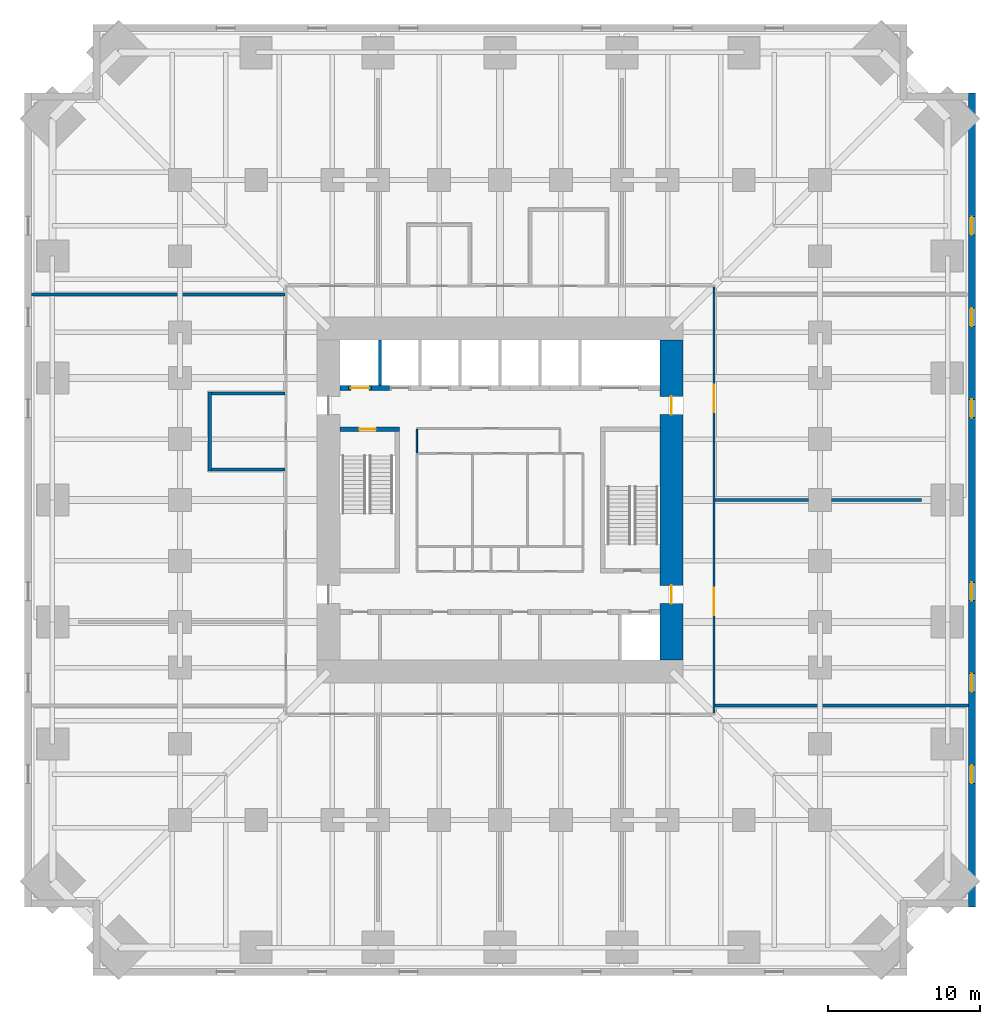
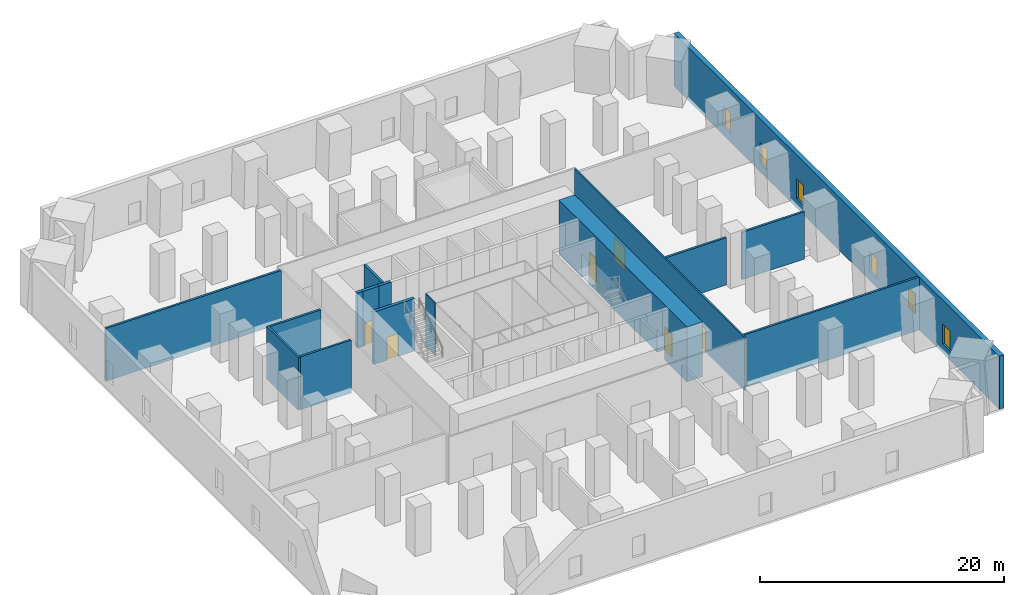
# One storey, part 5 of 8: 16 walls, 6 doors, 6 windows, 12 openings.
"""IFC4 building model written with IfcOpenShell, lengths in metres."""

from ifc_helpers import new_model, si_unit, direction, frame, frame_2d, origin, place, context, subcontext, project, spatial, rectangle, extrude, material, layer, layer_set, type_object, element, fill, save


model = new_model("IFC4")

# Units and contexts
model_context = context("Model", 3, precision=1e-05, world=origin(), true_north=direction((0.0, 1.0)))
body_context = subcontext(model_context, "Body", "Model", "MODEL_VIEW")
ifc_project = project(units=[si_unit("LENGTHUNIT", "METRE"), si_unit("AREAUNIT", "SQUARE_METRE"), si_unit("VOLUMEUNIT", "CUBIC_METRE"), si_unit("PLANEANGLEUNIT", "RADIAN"), si_unit("MASSUNIT", "GRAM", prefix="KILO")], contexts=[model_context])

# Site, building, storey
site_placement = place(None, origin())
site = spatial("IfcSite", under=ifc_project, at=site_placement, CompositionType="ELEMENT")
building_placement = place(site_placement, origin())
building = spatial("IfcBuilding", under=site, at=building_placement, Name="Peilmerk Tower", CompositionType="ELEMENT")
storey_placement = place(building_placement, frame((0.0, 0.0, 37.5)))
storey = spatial("IfcBuildingStorey", under=building, at=storey_placement, Name="L07", CompositionType="ELEMENT", Elevation=37.5)

# Wall, openings, windows
ifc_material_1 = material(Name="Precast concrete C45/55, board-marked finish", Category="concrete")
ifc_layer_1 = layer(ifc_material_1, 0.449951171875)
ifc_layer_set_1 = layer_set([ifc_layer_1], Name="Precast concrete C45/55, board-marked finish")
wall_type_1 = type_object("IfcWallType", Name="EW1 450 precast concrete facade wall, board-marked", PredefinedType="SOLIDWALL", material=ifc_layer_set_1)
wall_1_placement = place(storey_placement, frame((30.97509765625, -26.699951171875, 0.0), z_axis=(0.0, 0.0, 1.0), x_axis=(0.0, 1.0, 0.0)))
wall_1 = element("IfcWall", 1, at=wall_1_placement, inside=storey, type_object=wall_type_1, Name="Facade wall E L07", PredefinedType="SOLIDWALL", context=body_context, shape_type="SweptSolid", body=[
    extrude(rectangle(XDim=53.39990234375, YDim=0.449951171875, at=frame_2d((26.699951171875, 0.0))), origin(), (0.0, 0.0, 1.0), 5.300048828125),
])
opening_1_placement = place(wall_1_placement, frame((8.10009765625, 0.0, 0.89990234375)))
opening_1 = element("IfcOpeningElement", 2, at=opening_1_placement, cuts=wall_1, Name="Opening W2", PredefinedType="OPENING", context=body_context, shape_type="SweptSolid", body=[
    extrude(rectangle(XDim=1.199951171875, YDim=2.0, at=frame_2d((0.60009765625, 1.0))), frame((0.0, 0.23486328125, 0.0), z_axis=(0.0, -1.0, 0.0), x_axis=(1.0, 0.0, 0.0)), (0.0, 0.0, 1.0), 0.469970703125),
])
opening_2_placement = place(wall_1_placement, frame((14.10009765625, 0.0, 0.89990234375)))
opening_2 = element("IfcOpeningElement", 3, at=opening_2_placement, cuts=wall_1, Name="Opening W2", PredefinedType="OPENING", context=body_context, shape_type="SweptSolid", body=[
    extrude(rectangle(XDim=1.199951171875, YDim=2.0, at=frame_2d((0.60009765625, 1.0))), frame((0.0, 0.23486328125, 0.0), z_axis=(0.0, -1.0, 0.0), x_axis=(1.0, 0.0, 0.0)), (0.0, 0.0, 1.0), 0.469970703125),
])
opening_3_placement = place(wall_1_placement, frame((20.10009765625, 0.0, 0.89990234375)))
opening_3 = element("IfcOpeningElement", 4, at=opening_3_placement, cuts=wall_1, Name="Opening W2", PredefinedType="OPENING", context=body_context, shape_type="SweptSolid", body=[
    extrude(rectangle(XDim=1.199951171875, YDim=2.0, at=frame_2d((0.60009765625, 1.0))), frame((0.0, 0.23486328125, 0.0), z_axis=(0.0, -1.0, 0.0), x_axis=(1.0, 0.0, 0.0)), (0.0, 0.0, 1.0), 0.469970703125),
])
opening_4_placement = place(wall_1_placement, frame((32.10009765625, 0.0, 0.89990234375)))
opening_4 = element("IfcOpeningElement", 5, at=opening_4_placement, cuts=wall_1, Name="Opening W2", PredefinedType="OPENING", context=body_context, shape_type="SweptSolid", body=[
    extrude(rectangle(XDim=1.199951171875, YDim=2.0, at=frame_2d((0.60009765625, 1.0))), frame((0.0, 0.23486328125, 0.0), z_axis=(0.0, -1.0, 0.0), x_axis=(1.0, 0.0, 0.0)), (0.0, 0.0, 1.0), 0.469970703125),
])
opening_5_placement = place(wall_1_placement, frame((38.10009765625, 0.0, 0.89990234375)))
opening_5 = element("IfcOpeningElement", 6, at=opening_5_placement, cuts=wall_1, Name="Opening W2", PredefinedType="OPENING", context=body_context, shape_type="SweptSolid", body=[
    extrude(rectangle(XDim=1.199951171875, YDim=2.0, at=frame_2d((0.60009765625, 1.0))), frame((0.0, 0.23486328125, 0.0), z_axis=(0.0, -1.0, 0.0), x_axis=(1.0, 0.0, 0.0)), (0.0, 0.0, 1.0), 0.469970703125),
])
opening_6_placement = place(wall_1_placement, frame((44.10009765625, 0.0, 0.89990234375)))
opening_6 = element("IfcOpeningElement", 7, at=opening_6_placement, cuts=wall_1, Name="Opening W2", PredefinedType="OPENING", context=body_context, shape_type="SweptSolid", body=[
    extrude(rectangle(XDim=1.199951171875, YDim=2.0, at=frame_2d((0.60009765625, 1.0))), frame((0.0, 0.23486328125, 0.0), z_axis=(0.0, -1.0, 0.0), x_axis=(1.0, 0.0, 0.0)), (0.0, 0.0, 1.0), 0.469970703125),
])
ifc_material_2 = material(Name="Aluminium frame, clear double glazing", Category="aluminium")
window_type = type_object("IfcWindowType", Name="W2 1200x2000 data hall slot window", PartitioningType="SINGLE_PANEL", PredefinedType="WINDOW", material=ifc_material_2)
window_1_placement = place(opening_1_placement, origin())
window_1 = element("IfcWindow", 8, at=window_1_placement, inside=storey, type_object=window_type, Name="Window W2 L07", OverallHeight=2.0, OverallWidth=1.199951171875, PartitioningType="SINGLE_PANEL", PredefinedType="WINDOW", context=body_context, shape_type="SweptSolid", body=[
    extrude(rectangle(XDim=1.199951171875, YDim=2.0, at=frame_2d((0.60009765625, 1.0))), frame((0.0, 0.030029296875, 0.0), z_axis=(0.0, -1.0, 0.0), x_axis=(1.0, 0.0, 0.0)), (0.0, 0.0, 1.0), 0.06005859375),
])
fill(opening_1, window_1)
window_2_placement = place(opening_2_placement, origin())
window_2 = element("IfcWindow", 9, at=window_2_placement, inside=storey, type_object=window_type, Name="Window W2 L07", OverallHeight=2.0, OverallWidth=1.199951171875, PartitioningType="SINGLE_PANEL", PredefinedType="WINDOW", context=body_context, shape_type="SweptSolid", body=[
    extrude(rectangle(XDim=1.199951171875, YDim=2.0, at=frame_2d((0.60009765625, 1.0))), frame((0.0, 0.030029296875, 0.0), z_axis=(0.0, -1.0, 0.0), x_axis=(1.0, 0.0, 0.0)), (0.0, 0.0, 1.0), 0.06005859375),
])
fill(opening_2, window_2)
window_3_placement = place(opening_3_placement, origin())
window_3 = element("IfcWindow", 10, at=window_3_placement, inside=storey, type_object=window_type, Name="Window W2 L07", OverallHeight=2.0, OverallWidth=1.199951171875, PartitioningType="SINGLE_PANEL", PredefinedType="WINDOW", context=body_context, shape_type="SweptSolid", body=[
    extrude(rectangle(XDim=1.199951171875, YDim=2.0, at=frame_2d((0.60009765625, 1.0))), frame((0.0, 0.030029296875, 0.0), z_axis=(0.0, -1.0, 0.0), x_axis=(1.0, 0.0, 0.0)), (0.0, 0.0, 1.0), 0.06005859375),
])
fill(opening_3, window_3)
window_4_placement = place(opening_4_placement, origin())
window_4 = element("IfcWindow", 11, at=window_4_placement, inside=storey, type_object=window_type, Name="Window W2 L07", OverallHeight=2.0, OverallWidth=1.199951171875, PartitioningType="SINGLE_PANEL", PredefinedType="WINDOW", context=body_context, shape_type="SweptSolid", body=[
    extrude(rectangle(XDim=1.199951171875, YDim=2.0, at=frame_2d((0.60009765625, 1.0))), frame((0.0, 0.030029296875, 0.0), z_axis=(0.0, -1.0, 0.0), x_axis=(1.0, 0.0, 0.0)), (0.0, 0.0, 1.0), 0.06005859375),
])
fill(opening_4, window_4)
window_5_placement = place(opening_5_placement, origin())
window_5 = element("IfcWindow", 12, at=window_5_placement, inside=storey, type_object=window_type, Name="Window W2 L07", OverallHeight=2.0, OverallWidth=1.199951171875, PartitioningType="SINGLE_PANEL", PredefinedType="WINDOW", context=body_context, shape_type="SweptSolid", body=[
    extrude(rectangle(XDim=1.199951171875, YDim=2.0, at=frame_2d((0.60009765625, 1.0))), frame((0.0, 0.030029296875, 0.0), z_axis=(0.0, -1.0, 0.0), x_axis=(1.0, 0.0, 0.0)), (0.0, 0.0, 1.0), 0.06005859375),
])
fill(opening_5, window_5)
window_6_placement = place(opening_6_placement, origin())
window_6 = element("IfcWindow", 13, at=window_6_placement, inside=storey, type_object=window_type, Name="Window W2 L07", OverallHeight=2.0, OverallWidth=1.199951171875, PartitioningType="SINGLE_PANEL", PredefinedType="WINDOW", context=body_context, shape_type="SweptSolid", body=[
    extrude(rectangle(XDim=1.199951171875, YDim=2.0, at=frame_2d((0.60009765625, 1.0))), frame((0.0, 0.030029296875, 0.0), z_axis=(0.0, -1.0, 0.0), x_axis=(1.0, 0.0, 0.0)), (0.0, 0.0, 1.0), 0.06005859375),
])
fill(opening_6, window_6)

# Wall, openings, doors
ifc_material_3 = material(Name="Calcium silicate block", Category="masonry")
ifc_layer_2 = layer(ifc_material_3, 0.14990234375)
ifc_layer_set_2 = layer_set([ifc_layer_2], Name="Calcium silicate block")
wall_type_2 = type_object("IfcWallType", Name="IW1 150 corridor partition, EI 60", PredefinedType="PARTITIONING", material=ifc_layer_set_2)
wall_2_placement = place(storey_placement, frame((14.050048828125, -13.97509765625, 0.0), z_axis=(0.0, 0.0, 1.0), x_axis=(0.0, 1.0, 0.0)))
wall_2 = element("IfcWall", 14, at=wall_2_placement, inside=storey, type_object=wall_type_2, Name="Corridor wall E L07", PredefinedType="PARTITIONING", context=body_context, shape_type="SweptSolid", body=[
    extrude(rectangle(XDim=27.9501953125, YDim=0.14990234375, at=frame_2d((13.97509765625, 0.0))), origin(), (0.0, 0.0, 1.0), 5.300048828125),
])
opening_7_placement = place(wall_2_placement, frame((6.425048828125, 0.0, 0.0)))
opening_7 = element("IfcOpeningElement", 15, at=opening_7_placement, cuts=wall_2, Name="Opening D2", PredefinedType="OPENING", context=body_context, shape_type="SweptSolid", body=[
    extrude(rectangle(XDim=1.800048828125, YDim=2.300048828125, at=frame_2d((0.89990234375, 1.14990234375))), frame((0.0, 0.0849609375, 0.0), z_axis=(0.0, -1.0, 0.0), x_axis=(1.0, 0.0, 0.0)), (0.0, 0.0, 1.0), 0.169921875),
])
opening_8_placement = place(wall_2_placement, frame((19.72509765625, 0.0, 0.0)))
opening_8 = element("IfcOpeningElement", 16, at=opening_8_placement, cuts=wall_2, Name="Opening D2", PredefinedType="OPENING", context=body_context, shape_type="SweptSolid", body=[
    extrude(rectangle(XDim=1.800048828125, YDim=2.300048828125, at=frame_2d((0.89990234375, 1.14990234375))), frame((0.0, 0.0849609375, 0.0), z_axis=(0.0, -1.0, 0.0), x_axis=(1.0, 0.0, 0.0)), (0.0, 0.0, 1.0), 0.169921875),
])
ifc_material_4 = material(Name="Steel door in steel frame", Category="steel")
door_type_1 = type_object("IfcDoorType", Name="D2 1800x2300 double door, EI2 60", OperationType="DOUBLE_DOOR_DOUBLE_SWING", PredefinedType="DOOR", material=ifc_material_4)
door_1_placement = place(opening_7_placement, frame((1.800048828125, 0.0, 0.0), z_axis=(0.0, 0.0, 1.0), x_axis=(-1.0, 0.0, 0.0)))
door_1 = element("IfcDoor", 17, at=door_1_placement, inside=storey, type_object=door_type_1, Name="Door Battery room L07", OperationType="DOUBLE_DOOR_DOUBLE_SWING", OverallHeight=2.300048828125, OverallWidth=1.800048828125, PredefinedType="DOOR", context=body_context, shape_type="SweptSolid", body=[
    extrude(rectangle(XDim=1.800048828125, YDim=2.300048828125, at=frame_2d((0.89990234375, 1.14990234375))), frame((0.0, 0.02490234375, 0.0), z_axis=(0.0, -1.0, 0.0), x_axis=(1.0, 0.0, 0.0)), (0.0, 0.0, 1.0), 0.050048828125),
])
fill(opening_7, door_1)
door_2_placement = place(opening_8_placement, frame((1.800048828125, 0.0, 0.0), z_axis=(0.0, 0.0, 1.0), x_axis=(-1.0, 0.0, 0.0)))
door_2 = element("IfcDoor", 18, at=door_2_placement, inside=storey, type_object=door_type_1, Name="Door UPS room L07", OperationType="DOUBLE_DOOR_DOUBLE_SWING", OverallHeight=2.300048828125, OverallWidth=1.800048828125, PredefinedType="DOOR", context=body_context, shape_type="SweptSolid", body=[
    extrude(rectangle(XDim=1.800048828125, YDim=2.300048828125, at=frame_2d((0.89990234375, 1.14990234375))), frame((0.0, 0.02490234375, 0.0), z_axis=(0.0, -1.0, 0.0), x_axis=(1.0, 0.0, 0.0)), (0.0, 0.0, 1.0), 0.050048828125),
])
fill(opening_8, door_2)

# Walls
ifc_layer_3 = layer(ifc_material_3, 0.199951171875)
ifc_layer_set_3 = layer_set([ifc_layer_3], Name="Calcium silicate block")
wall_type_3 = type_object("IfcWallType", Name="IW2 200 room separating wall, EI 120", PredefinedType="PARTITIONING", material=ifc_layer_set_3)
for number, where, z_axis, x_axis, name in (
    (19, (-30.75, 13.5, 0.0), (0.0, 0.0, 1.0), (1.0, 0.0, 0.0), "Room separating wall NW L07"),
    (20, (30.75, -13.5, 0.0), (0.0, 0.0, 1.0), (-1.0, 0.0, 0.0), "Room separating wall SE L07"),
):
    element("IfcWall", number, at=place(storey_placement, frame(where, z_axis=z_axis, x_axis=x_axis)), inside=storey, type_object=wall_type_3, Name=name, PredefinedType="PARTITIONING", context=body_context, shape_type="SweptSolid", body=[
        extrude(rectangle(XDim=16.625, YDim=0.199951171875, at=frame_2d((8.3125, 0.0))), origin(), (0.0, 0.0, 1.0), 5.300048828125),
    ])
wall_3_placement = place(storey_placement, frame((14.125, 0.0, 0.0), z_axis=(0.0, 0.0, 1.0), x_axis=(1.0, 0.0, 0.0)))
element("IfcWall", 21, at=wall_3_placement, inside=storey, type_object=wall_type_3, Name="Room separating wall E1 L07", PredefinedType="PARTITIONING", context=body_context, shape_type="SweptSolid", body=[
    extrude(rectangle(XDim=6.125, YDim=0.199951171875, at=frame_2d((3.0625, 0.0))), origin(), (0.0, 0.0, 1.0), 4.73095703125),
])
wall_4_placement = place(storey_placement, frame((21.75, 0.0, 0.0), z_axis=(0.0, 0.0, 1.0), x_axis=(1.0, 0.0, 0.0)))
element("IfcWall", 22, at=wall_4_placement, inside=storey, type_object=wall_type_3, Name="Room separating wall E1b L07", PredefinedType="PARTITIONING", context=body_context, shape_type="SweptSolid", body=[
    extrude(rectangle(XDim=5.927978515625, YDim=0.199951171875, at=frame_2d((2.9638671875, 0.0))), origin(), (0.0, 0.0, 1.0), 4.73095703125),
])
wall_5_placement = place(storey_placement, frame((-19.050048828125, 1.89990234375, 0.0), z_axis=(0.0, 0.0, 1.0), x_axis=(0.0, 1.0, 0.0)))
element("IfcWall", 23, at=wall_5_placement, inside=storey, type_object=wall_type_3, Name="Room separating wall Customer meeting room L07", PredefinedType="PARTITIONING", context=body_context, shape_type="SweptSolid", body=[
    extrude(rectangle(XDim=5.2001953125, YDim=0.199951171875, at=frame_2d((2.60009765625, 0.0))), origin(), (0.0, 0.0, 1.0), 5.300048828125),
])
for number, where, z_axis, x_axis, name in (
    (24, (-14.125, 2.0, 0.0), (0.0, 0.0, 1.0), (-1.0, 0.0, 0.0), "Room separating wall Customer meeting room L07"),
    (25, (-14.125, 7.0, 0.0), (0.0, 0.0, 1.0), (-1.0, 0.0, 0.0), "Room separating wall Customer meeting room L07"),
):
    element("IfcWall", number, at=place(storey_placement, frame(where, z_axis=z_axis, x_axis=x_axis)), inside=storey, type_object=wall_type_3, Name=name, PredefinedType="PARTITIONING", context=body_context, shape_type="SweptSolid", body=[
        extrude(rectangle(XDim=4.824951171875, YDim=0.199951171875, at=frame_2d((2.41259765625, 0.0))), origin(), (0.0, 0.0, 1.0), 5.300048828125),
    ])

# Wall, opening, door
ifc_material_5 = material(Name="Concrete C35/45", Category="concrete")
ifc_layer_4 = layer(ifc_material_5, 0.300048828125)
ifc_layer_set_4 = layer_set([ifc_layer_4], Name="Concrete C35/45")
wall_type_4 = type_object("IfcWallType", Name="IW3 300 concrete stair enclosure wall, EI 120", PredefinedType="SOLIDWALL", material=ifc_layer_set_4)
wall_6_placement = place(storey_placement, frame((-10.5, 4.64990234375, 0.0), z_axis=(0.0, 0.0, 1.0), x_axis=(1.0, 0.0, 0.0)))
wall_6 = element("IfcWall", 26, at=wall_6_placement, inside=storey, type_object=wall_type_4, Name="Stair 1 enclosure L07", PredefinedType="SOLIDWALL", context=body_context, shape_type="SweptSolid", body=[
    extrude(rectangle(XDim=3.89990234375, YDim=0.300048828125, at=frame_2d((1.949951171875, 0.0))), origin(), (0.0, 0.0, 1.0), 5.25),
])
opening_9_placement = place(wall_6_placement, frame((1.25, 0.0, 0.0)))
opening_9 = element("IfcOpeningElement", 27, at=opening_9_placement, cuts=wall_6, Name="Opening D4", PredefinedType="OPENING", context=body_context, shape_type="SweptSolid", body=[
    extrude(rectangle(XDim=1.10009765625, YDim=2.300048828125, at=frame_2d((0.550048828125, 1.14990234375))), frame((0.0, 0.159912109375, 0.0), z_axis=(0.0, -1.0, 0.0), x_axis=(1.0, 0.0, 0.0)), (0.0, 0.0, 1.0), 0.320068359375),
])
door_type_2 = type_object("IfcDoorType", Name="D4 1100x2300 stair door, EI2 60", OperationType="SINGLE_SWING_RIGHT", PredefinedType="DOOR", material=ifc_material_4)
door_3_placement = place(opening_9_placement, frame((1.10009765625, 0.0, 0.0), z_axis=(0.0, 0.0, 1.0), x_axis=(-1.0, 0.0, 0.0)))
door_3 = element("IfcDoor", 28, at=door_3_placement, inside=storey, type_object=door_type_2, Name="Stair 1 door L07", OperationType="SINGLE_SWING_RIGHT", OverallHeight=2.300048828125, OverallWidth=1.10009765625, PredefinedType="DOOR", context=body_context, shape_type="SweptSolid", body=[
    extrude(rectangle(XDim=1.10009765625, YDim=2.300048828125, at=frame_2d((0.550048828125, 1.14990234375))), frame((0.0, 0.02490234375, 0.0), z_axis=(0.0, -1.0, 0.0), x_axis=(1.0, 0.0, 0.0)), (0.0, 0.0, 1.0), 0.050048828125),
])
fill(opening_9, door_3)

# Walls
ifc_material_6 = material(Name="Fire-resisting plasterboard on steel studs", Category="steel")
ifc_layer_5 = layer(ifc_material_6, 0.10009765625)
ifc_layer_set_5 = layer_set([ifc_layer_5], Name="Fire-resisting plasterboard on steel studs")
wall_type_5 = type_object("IfcWallType", Name="IW9 100 WC lobby wall, EI 30", PredefinedType="PARTITIONING", material=ifc_layer_set_5)
wall_7_placement = place(storey_placement, frame((-5.449951171875, 3.10009765625, 0.0), z_axis=(0.0, 0.0, 1.0), x_axis=(0.0, 1.0, 0.0)))
element("IfcWall", 29, at=wall_7_placement, inside=storey, type_object=wall_type_5, Name="WC lobby wall L07", PredefinedType="PARTITIONING", context=body_context, shape_type="SweptSolid", body=[
    extrude(rectangle(XDim=1.5498046875, YDim=0.10009765625, at=frame_2d((0.77490234375, 0.0))), origin(), (0.0, 0.0, 1.0), 5.25),
])
ifc_layer_6 = layer(ifc_material_3, 0.199951171875)
ifc_layer_set_6 = layer_set([ifc_layer_6], Name="Calcium silicate block")
wall_type_6 = type_object("IfcWallType", Name="SH1 200 shaft dividing wall, EI 120", PredefinedType="PARTITIONING", material=ifc_layer_set_6)
wall_8_placement = place(storey_placement, frame((-7.875, 7.5, 0.0), z_axis=(0.0, 0.0, 1.0), x_axis=(0.0, 1.0, 0.0)))
element("IfcWall", 30, at=wall_8_placement, inside=storey, type_object=wall_type_6, Name="Shaft wall N FL1 L07", PredefinedType="PARTITIONING", context=body_context, shape_type="SweptSolid", body=[
    extrude(rectangle(XDim=3.0, YDim=0.199951171875, at=frame_2d((1.5, 0.0))), origin(), (0.0, 0.0, 1.0), 5.5),
])

# Wall, opening, door
ifc_layer_7 = layer(ifc_material_3, 0.300048828125)
ifc_layer_set_7 = layer_set([ifc_layer_7], Name="Calcium silicate block")
wall_type_7 = type_object("IfcWallType", Name="SH2 300 lift landing door panel, EI 120", PredefinedType="PARTITIONING", material=ifc_layer_set_7)
wall_9_placement = place(storey_placement, frame((-9.9375, 7.35009765625, 0.0), z_axis=(0.0, 0.0, 1.0), x_axis=(1.0, 0.0, 0.0)))
wall_9 = element("IfcWall", 31, at=wall_9_placement, inside=storey, type_object=wall_type_7, Name="Lift door panel N FL1 L07", PredefinedType="PARTITIONING", context=body_context, shape_type="SweptSolid", body=[
    extrude(rectangle(XDim=1.5, YDim=0.300048828125, at=frame_2d((0.75, 0.0))), origin(), (0.0, 0.0, 1.0), 5.5),
])
opening_10_placement = place(wall_9_placement, frame((0.14990234375, 0.0, 0.0)))
opening_10 = element("IfcOpeningElement", 32, at=opening_10_placement, cuts=wall_9, Name="Opening LD2", PredefinedType="OPENING", context=body_context, shape_type="SweptSolid", body=[
    extrude(rectangle(XDim=1.199951171875, YDim=2.300048828125, at=frame_2d((0.60009765625, 1.14990234375))), frame((0.0, 0.159912109375, 0.0), z_axis=(0.0, -1.0, 0.0), x_axis=(1.0, 0.0, 0.0)), (0.0, 0.0, 1.0), 0.320068359375),
])
ifc_material_7 = material(Name="Stainless steel landing door", Category="steel")
door_type_3 = type_object("IfcDoorType", Name="LD2 1200x2300 lift landing door, sliding, EI2 60", OperationType="SLIDING_TO_LEFT", PredefinedType="DOOR", material=ifc_material_7)
door_4_placement = place(opening_10_placement, frame((1.199951171875, 0.0, 0.0), z_axis=(0.0, 0.0, 1.0), x_axis=(-1.0, 0.0, 0.0)))
door_4 = element("IfcDoor", 33, at=door_4_placement, inside=storey, type_object=door_type_3, Name="Lift landing door FL1 L07", OperationType="SLIDING_TO_LEFT", OverallHeight=2.300048828125, OverallWidth=1.199951171875, PredefinedType="DOOR", context=body_context, shape_type="SweptSolid", body=[
    extrude(rectangle(XDim=1.199951171875, YDim=2.300048828125, at=frame_2d((0.60009765625, 1.14990234375))), frame((0.0, 0.02490234375, 0.0), z_axis=(0.0, -1.0, 0.0), x_axis=(1.0, 0.0, 0.0)), (0.0, 0.0, 1.0), 0.050048828125),
])
fill(opening_10, door_4)

# Wall, openings, doors
ifc_material_8 = material(Name="Concrete C55/67", Category="concrete")
ifc_layer_8 = layer(ifc_material_8, 1.5)
ifc_layer_set_8 = layer_set([ifc_layer_8], Name="Concrete C55/67")
wall_type_8 = type_object("IfcWallType", Name="SW1 1500 core wall", PredefinedType="SHEAR", material=ifc_layer_set_8)
wall_10_placement = place(storey_placement, frame((11.25, 10.5, 0.0), z_axis=(0.0, 0.0, 1.0), x_axis=(0.0, -1.0, 0.0)))
wall_10 = element("IfcWall", 34, at=wall_10_placement, inside=storey, type_object=wall_type_8, Name="Core wall E L07", PredefinedType="SHEAR", context=body_context, shape_type="SweptSolid", body=[
    extrude(rectangle(XDim=21.0, YDim=1.5, at=frame_2d((10.5, 0.0))), origin(), (0.0, 0.0, 1.0), 5.5),
])
opening_11_placement = place(wall_10_placement, frame((3.699951171875, 0.0, 0.0)))
opening_11 = element("IfcOpeningElement", 35, at=opening_11_placement, cuts=wall_10, Name="Opening D3", PredefinedType="OPENING", context=body_context, shape_type="SweptSolid", body=[
    extrude(rectangle(XDim=1.199951171875, YDim=2.300048828125, at=frame_2d((0.60009765625, 1.14990234375))), frame((0.0, 0.760009765625, 0.0), z_axis=(0.0, -1.0, 0.0), x_axis=(1.0, 0.0, 0.0)), (0.0, 0.0, 1.0), 1.52001953125),
])
opening_12_placement = place(wall_10_placement, frame((16.10009765625, 0.0, 0.0)))
opening_12 = element("IfcOpeningElement", 36, at=opening_12_placement, cuts=wall_10, Name="Opening D3", PredefinedType="OPENING", context=body_context, shape_type="SweptSolid", body=[
    extrude(rectangle(XDim=1.199951171875, YDim=2.300048828125, at=frame_2d((0.60009765625, 1.14990234375))), frame((0.0, 0.760009765625, 0.0), z_axis=(0.0, -1.0, 0.0), x_axis=(1.0, 0.0, 0.0)), (0.0, 0.0, 1.0), 1.52001953125),
])
door_type_4 = type_object("IfcDoorType", Name="D3 1200x2300 core door, EI2 60", OperationType="SINGLE_SWING_LEFT", PredefinedType="DOOR", material=ifc_material_4)
door_5_placement = place(opening_11_placement, frame((1.199951171875, 0.0, 0.0), z_axis=(0.0, 0.0, 1.0), x_axis=(-1.0, 0.0, 0.0)))
door_5 = element("IfcDoor", 37, at=door_5_placement, inside=storey, type_object=door_type_4, Name="Core door L07", OperationType="SINGLE_SWING_LEFT", OverallHeight=2.300048828125, OverallWidth=1.199951171875, PredefinedType="DOOR", context=body_context, shape_type="SweptSolid", body=[
    extrude(rectangle(XDim=1.199951171875, YDim=2.300048828125, at=frame_2d((0.60009765625, 1.14990234375))), frame((0.0, 0.02490234375, 0.0), z_axis=(0.0, -1.0, 0.0), x_axis=(1.0, 0.0, 0.0)), (0.0, 0.0, 1.0), 0.050048828125),
])
fill(opening_11, door_5)
door_6_placement = place(opening_12_placement, frame((1.199951171875, 0.0, 0.0), z_axis=(0.0, 0.0, 1.0), x_axis=(-1.0, 0.0, 0.0)))
door_6 = element("IfcDoor", 38, at=door_6_placement, inside=storey, type_object=door_type_4, Name="Core door L07", OperationType="SINGLE_SWING_LEFT", OverallHeight=2.300048828125, OverallWidth=1.199951171875, PredefinedType="DOOR", context=body_context, shape_type="SweptSolid", body=[
    extrude(rectangle(XDim=1.199951171875, YDim=2.300048828125, at=frame_2d((0.60009765625, 1.14990234375))), frame((0.0, 0.02490234375, 0.0), z_axis=(0.0, -1.0, 0.0), x_axis=(1.0, 0.0, 0.0)), (0.0, 0.0, 1.0), 0.050048828125),
])
fill(opening_12, door_6)

# Walls
ifc_layer_9 = layer(ifc_material_8, 0.300048828125)
ifc_layer_set_9 = layer_set([ifc_layer_9], Name="Concrete C55/67")
wall_type_9 = type_object("IfcWallType", Name="SW2 300 lift bank pier", PredefinedType="SHEAR", material=ifc_layer_set_9)
wall_11_placement = place(storey_placement, frame((-10.5, 7.35009765625, 0.0), z_axis=(0.0, 0.0, 1.0), x_axis=(1.0, 0.0, 0.0)))
element("IfcWall", 39, at=wall_11_placement, inside=storey, type_object=wall_type_9, Name="Lift bank pier N L07", PredefinedType="SHEAR", context=body_context, shape_type="SweptSolid", body=[
    extrude(rectangle(XDim=0.5625, YDim=0.300048828125, at=frame_2d((0.28125, 0.0))), origin(), (0.0, 0.0, 1.0), 5.5),
])
wall_12_placement = place(storey_placement, frame((-8.4375, 7.35009765625, 0.0), z_axis=(0.0, 0.0, 1.0), x_axis=(1.0, 0.0, 0.0)))
element("IfcWall", 40, at=wall_12_placement, inside=storey, type_object=wall_type_9, Name="Lift bank pier N L07", PredefinedType="SHEAR", context=body_context, shape_type="SweptSolid", body=[
    extrude(rectangle(XDim=1.175048828125, YDim=0.300048828125, at=frame_2d((0.58740234375, 0.0))), origin(), (0.0, 0.0, 1.0), 5.5),
])

save(model, "model.ifc")
